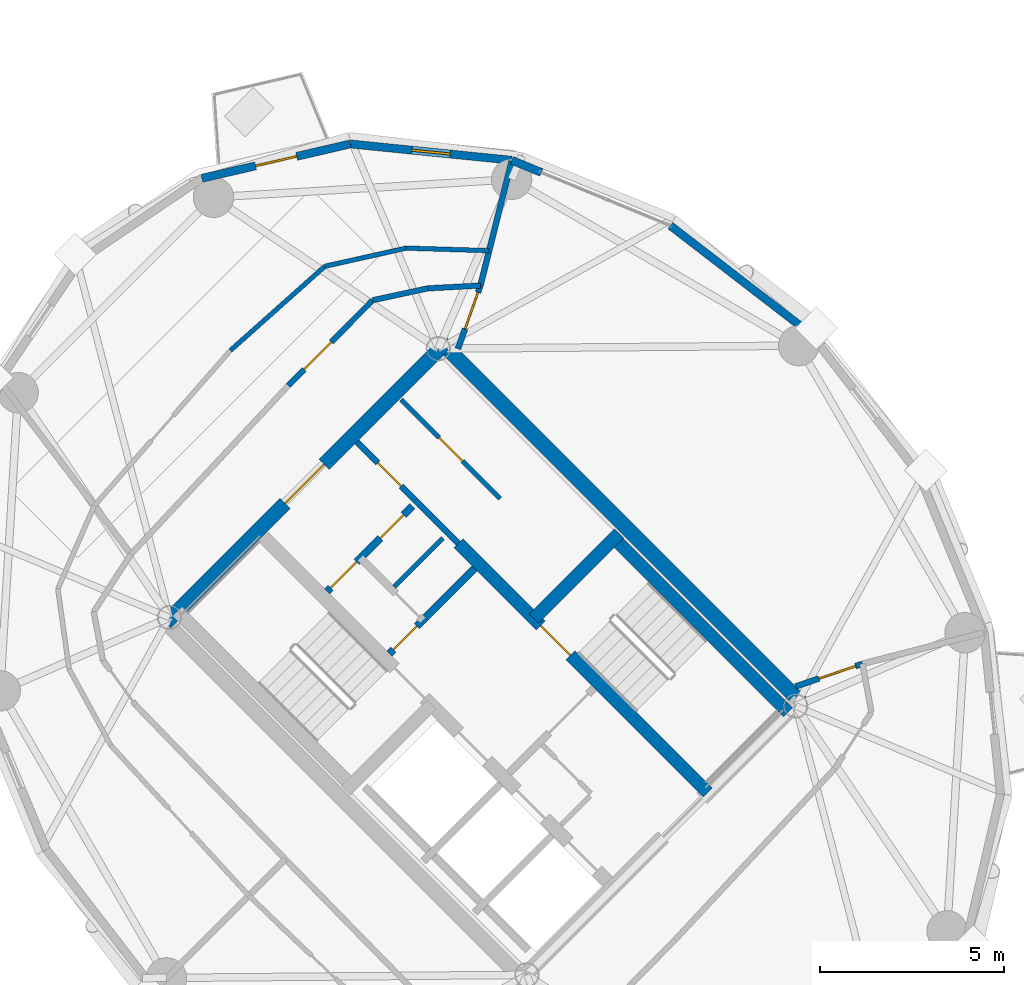
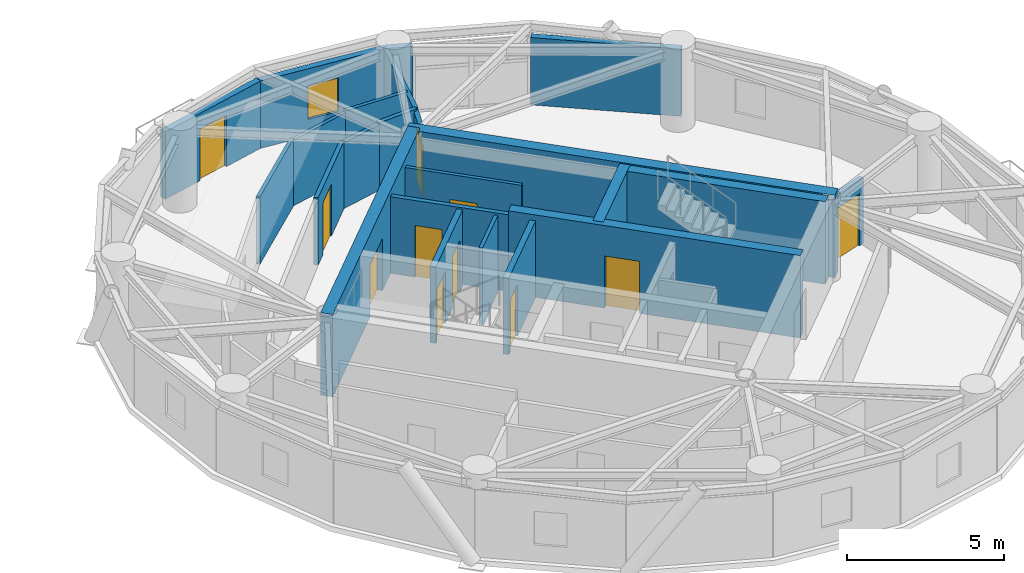
# One storey, part 12 of 16: 23 walls, 11 doors, 1 window, 12 openings.
"""IFC4 building model written with IfcOpenShell, lengths in metres."""

from ifc_helpers import new_model, si_unit, direction, frame, frame_2d, origin, place, context, subcontext, project, spatial, rectangle, extrude, source, transform, mapped, material, layer, layer_set, type_object, element, fill, save


model = new_model("IFC4")

# Units and contexts
model_context = context("Model", 3, precision=1e-05, world=origin(), true_north=direction((0.0, 1.0)))
body_context = subcontext(model_context, "Body", "Model", "MODEL_VIEW")
ifc_project = project(units=[si_unit("LENGTHUNIT", "METRE"), si_unit("AREAUNIT", "SQUARE_METRE"), si_unit("VOLUMEUNIT", "CUBIC_METRE"), si_unit("PLANEANGLEUNIT", "RADIAN"), si_unit("MASSUNIT", "GRAM", prefix="KILO")], contexts=[model_context])

# Site, building, storey
site_placement = place(None, origin())
site = spatial("IfcSite", under=ifc_project, at=site_placement, CompositionType="ELEMENT")
building_placement = place(site_placement, origin())
building = spatial("IfcBuilding", under=site, at=building_placement, Name="Cununo Teusaquillo Station Towers", CompositionType="ELEMENT")
storey_placement = place(building_placement, frame((0.0, 0.0, 226.050048828125)))
storey = spatial("IfcBuildingStorey", under=building, at=storey_placement, Name="L72", CompositionType="ELEMENT", Elevation=226.050048828125)

# Wall, opening, door
ifc_material_1 = material(Name="Concrete C50/60", Category="concrete")
ifc_layer_1 = layer(ifc_material_1, 0.35009765625)
ifc_layer_set_1 = layer_set([ifc_layer_1], Name="Concrete C50/60")
wall_type_1 = type_object("IfcWallType", Name="WL-CORE-350", PredefinedType="SHEAR", material=ifc_layer_set_1)
wall_1_placement = place(storey_placement, frame((63.627197265625, 20.939697265625, 0.0), z_axis=(0.0, 0.0, 1.0), x_axis=(-0.707119496762, 0.707094065383, 0.0)))
wall_1 = element("IfcWall", 1, at=wall_1_placement, inside=storey, type_object=wall_type_1, Name="L72 Tower B Core Shear Wall IE", PredefinedType="SHEAR", context=body_context, shape_type="SweptSolid", body=[
    extrude(rectangle(XDim=9.60009765625, YDim=0.35009765625, at=frame_2d((4.800048828125, 0.0))), origin(), (0.0, 0.0, 1.0), 3.199951171875),
])
shared_shape_1 = source(origin(), body_context, "Body", "SweptSolid", [
    extrude(rectangle(XDim=1.14990234375, YDim=2.02001953125, at=frame_2d((0.574951171875, 1.010009765625))), frame((0.0, 0.18505859375, 0.0), z_axis=(0.0, -1.0, 0.0), x_axis=(1.0, 0.0, 0.0)), (0.0, 0.0, 1.0), 0.3701171875),
])
opening_1_placement = place(wall_1_placement, frame((5.280029296875, 0.0, 0.0)))
opening_1 = element("IfcOpeningElement", 2, at=opening_1_placement, cuts=wall_1, Name="Opening D-ST1", PredefinedType="OPENING", context=body_context, shape_type="MappedRepresentation", body=[
    mapped(shared_shape_1, transform((0.0, 0.0, 0.0), x_axis=(1.0, 0.0, 0.0), y_axis=(0.0, 1.0, 0.0), z_axis=(0.0, 0.0, 1.0), scale=1.0)),
])
ifc_material_2 = material(Name="Galvanised fire-rated hollow steel door assembly", Category="steel")
door_type_1 = type_object("IfcDoorType", Name="DR-STAIR-1150", OperationType="NOTDEFINED", PredefinedType="DOOR", material=ifc_material_2)
shared_shape_2 = source(origin(), body_context, "Body", "SweptSolid", [
    extrude(rectangle(XDim=1.14990234375, YDim=2.02001953125, at=frame_2d((0.574951171875, 1.010009765625))), frame((0.0, 0.02490234375, 0.0), z_axis=(0.0, -1.0, 0.0), x_axis=(1.0, 0.0, 0.0)), (0.0, 0.0, 1.0), 0.050048828125),
])
door_1_placement = place(opening_1_placement, origin())
door_1 = element("IfcDoor", 3, at=door_1_placement, inside=storey, type_object=door_type_1, Name="L72 Tower B Exit Stair 2 Fire Door", OperationType="SINGLE_SWING_LEFT", OverallHeight=2.02001953125, OverallWidth=1.14990234375, PredefinedType="DOOR", context=body_context, shape_type="MappedRepresentation", body=[
    mapped(shared_shape_2, transform((0.0, 0.0, 0.0), x_axis=(1.0, 0.0, 0.0), y_axis=(0.0, 1.0, 0.0), z_axis=(0.0, 0.0, 1.0), scale=1.0)),
])
fill(opening_1, door_1)

# Walls
wall_2_placement = place(storey_placement, frame((65.81201171875, 23.124755859375, 0.0), z_axis=(0.0, 0.0, 1.0), x_axis=(-0.707106781187, 0.707106781187, 0.0)))
element("IfcWall", 4, at=wall_2_placement, inside=storey, type_object=wall_type_1, Name="L72 Tower B Core Shear Wall ST2E", PredefinedType="SHEAR", context=body_context, shape_type="SweptSolid", body=[
    extrude(rectangle(XDim=6.695068359375, YDim=0.35009765625, at=frame_2d((3.34765625, 0.0))), origin(), (0.0, 0.0, 1.0), 3.199951171875),
])
wall_3_placement = place(storey_placement, frame((58.89306640625, 25.673828125, 0.0), z_axis=(0.0, 0.0, 1.0), x_axis=(0.707106781187, 0.707106781187, 0.0)))
element("IfcWall", 5, at=wall_3_placement, inside=storey, type_object=wall_type_1, Name="L72 Tower B Core Shear Wall ST2N", PredefinedType="SHEAR", context=body_context, shape_type="SweptSolid", body=[
    extrude(rectangle(XDim=3.284912109375, YDim=0.35009765625, at=frame_2d((1.642578125, 0.0))), origin(), (0.0, 0.0, 1.0), 3.199951171875),
])
ifc_material_3 = material(Name="Concrete C50/60", Category="concrete")
ifc_layer_2 = layer(ifc_material_3, 0.39990234375)
ifc_layer_set_2 = layer_set([ifc_layer_2], Name="Concrete C50/60")
wall_type_2 = type_object("IfcWallType", Name="WL-CORE-400", PredefinedType="SHEAR", material=ifc_layer_set_2)
wall_4_placement = place(storey_placement, frame((66.26806640625, 23.2978515625, 0.0), z_axis=(0.0, 0.0, 1.0), x_axis=(-0.707106781187, 0.707106781187, 0.0)))
element("IfcWall", 6, at=wall_4_placement, inside=storey, type_object=wall_type_2, Name="L72 Tower B Core Shear Wall E", PredefinedType="SHEAR", context=body_context, shape_type="SweptSolid", body=[
    extrude(rectangle(XDim=14.10009765625, YDim=0.39990234375, at=frame_2d((7.050048828125, 0.0))), origin(), (0.0, 0.0, 1.0), 3.199951171875),
])

# Wall, opening, door
wall_5_placement = place(storey_placement, frame((48.873291015625, 25.560791015625, 0.0), z_axis=(0.0, 0.0, 1.0), x_axis=(0.707106781187, 0.707106781187, 0.0)))
wall_5 = element("IfcWall", 7, at=wall_5_placement, inside=storey, type_object=wall_type_2, Name="L72 Tower B Core Shear Wall N", PredefinedType="SHEAR", context=body_context, shape_type="SweptSolid", body=[
    extrude(rectangle(XDim=10.69970703125, YDim=0.39990234375, at=frame_2d((5.349853515625, 0.0))), origin(), (0.0, 0.0, 1.0), 3.199951171875),
])
shared_shape_3 = source(origin(), body_context, "Body", "SweptSolid", [
    extrude(rectangle(XDim=1.5, YDim=2.02001953125, at=frame_2d((0.75, 1.010009765625))), frame((0.0, 0.2099609375, 0.0), z_axis=(0.0, -1.0, 0.0), x_axis=(1.0, 0.0, 0.0)), (0.0, 0.0, 1.0), 0.419921875),
])
opening_2_placement = place(wall_5_placement, frame((4.60009765625, 0.0, 0.0)))
opening_2 = element("IfcOpeningElement", 8, at=opening_2_placement, cuts=wall_5, Name="Opening D-LB1", PredefinedType="OPENING", context=body_context, shape_type="MappedRepresentation", body=[
    mapped(shared_shape_3, transform((0.0, 0.0, 0.0), x_axis=(1.0, 0.0, 0.0), y_axis=(0.0, 1.0, 0.0), z_axis=(0.0, 0.0, 1.0), scale=1.0)),
])
ifc_material_4 = material(Name="Galvanised fire-rated hollow steel door assembly", Category="steel")
door_type_2 = type_object("IfcDoorType", Name="DR-LOBBY-1500", OperationType="DOUBLE_DOOR_SINGLE_SWING", PredefinedType="DOOR", material=ifc_material_4)
shared_shape_4 = source(origin(), body_context, "Body", "SweptSolid", [
    extrude(rectangle(XDim=1.5, YDim=2.02001953125, at=frame_2d((0.75, 1.010009765625))), frame((0.0, 0.02490234375, 0.0), z_axis=(0.0, -1.0, 0.0), x_axis=(1.0, 0.0, 0.0)), (0.0, 0.0, 1.0), 0.050048828125),
])
door_2_placement = place(opening_2_placement, origin())
door_2 = element("IfcDoor", 9, at=door_2_placement, inside=storey, type_object=door_type_2, Name="L72 Tower B North Core Lift Lobby Door", OperationType="DOUBLE_DOOR_SINGLE_SWING", OverallHeight=2.02001953125, OverallWidth=1.5, PredefinedType="DOOR", context=body_context, shape_type="MappedRepresentation", body=[
    mapped(shared_shape_4, transform((0.0, 0.0, 0.0), x_axis=(1.0, 0.0, 0.0), y_axis=(0.0, 1.0, 0.0), z_axis=(0.0, 0.0, 1.0), scale=1.0)),
])
fill(opening_2, door_2)

# Walls
ifc_material_5 = material(Name="Precast concrete C40/50", Category="concrete")
ifc_layer_3 = layer(ifc_material_5, 0.219970703125)
ifc_layer_set_3 = layer_set([ifc_layer_3], Name="Precast concrete C40/50")
wall_type_3 = type_object("IfcWallType", Name="WL-EXT-220", PredefinedType="SOLIDWALL", material=ifc_layer_set_3)
wall_6_placement = place(storey_placement, frame((62.61328125, 36.373779296875, 0.0), z_axis=(0.0, 0.0, 1.0), x_axis=(0.791998462147, -0.610523083886, 0.0)))
element("IfcWall", 10, at=wall_6_placement, inside=storey, type_object=wall_type_3, Name="L72 Tower B Exterior Facade Wall C00", PredefinedType="SOLIDWALL", context=body_context, shape_type="SweptSolid", body=[
    extrude(rectangle(XDim=4.8203125, YDim=0.219970703125, at=frame_2d((2.41015625, 0.0))), origin(), (0.0, 0.0, 1.0), 2.612060546875),
])
wall_7_placement = place(storey_placement, frame((58.29541015625, 38.15478515625, 0.0), z_axis=(0.0, 0.0, 1.0), x_axis=(0.924515260676, -0.381145028536, 0.0)))
element("IfcWall", 11, at=wall_7_placement, inside=storey, type_object=wall_type_3, Name="L72 Tower B Column Pier Cladding Wall C01-PA", PredefinedType="SOLIDWALL", context=body_context, shape_type="SweptSolid", body=[
    extrude(rectangle(XDim=0.869873046875, YDim=0.219970703125, at=frame_2d((0.43505859375, 0.0))), origin(), (0.0, 0.0, 1.0), 2.612060546875),
])

# Wall, opening, window
wall_8_placement = place(storey_placement, frame((53.899658203125, 38.59912109375, 0.0), z_axis=(0.0, 0.0, 1.0), x_axis=(0.994929930991, -0.100570534541, 0.0)))
wall_8 = element("IfcWall", 12, at=wall_8_placement, inside=storey, type_object=wall_type_3, Name="L72 Tower B Exterior Facade Wall C02", PredefinedType="SOLIDWALL", context=body_context, shape_type="SweptSolid", body=[
    extrude(rectangle(XDim=4.418212890625, YDim=0.219970703125, at=frame_2d((2.208984375, 0.0))), origin(), (0.0, 0.0, 1.0), 2.612060546875),
])
shared_shape_5 = source(origin(), body_context, "Body", "SweptSolid", [
    extrude(rectangle(XDim=1.050048828125, YDim=1.300048828125, at=frame_2d((0.52490234375, 0.64990234375))), frame((0.0, 0.119873046875, 0.0), z_axis=(0.0, -1.0, 0.0), x_axis=(1.0, 0.0, 0.0)), (0.0, 0.0, 1.0), 0.239990234375),
])
opening_3_placement = place(wall_8_placement, frame((1.68408203125, 0.0, 0.64990234375)))
opening_3 = element("IfcOpeningElement", 13, at=opening_3_placement, cuts=wall_8, Name="Opening WN-04", PredefinedType="OPENING", context=body_context, shape_type="MappedRepresentation", body=[
    mapped(shared_shape_5, transform((0.0, 0.0, 0.0), x_axis=(1.0, 0.0, 0.0), y_axis=(0.0, 1.0, 0.0), z_axis=(0.0, 0.0, 1.0), scale=1.0)),
])
ifc_material_6 = material(Name="Operable acoustic tinted low-E double glazing", Category="glass")
window_type = type_object("IfcWindowType", Name="WIN-BAL-1050", PartitioningType="SINGLE_PANEL", PredefinedType="WINDOW", material=ifc_material_6)
shared_shape_6 = source(origin(), body_context, "Body", "SweptSolid", [
    extrude(rectangle(XDim=1.050048828125, YDim=1.300048828125, at=frame_2d((0.52490234375, 0.64990234375))), frame((0.0, 0.030029296875, 0.0), z_axis=(0.0, -1.0, 0.0), x_axis=(1.0, 0.0, 0.0)), (0.0, 0.0, 1.0), 0.06005859375),
])
window_placement = place(opening_3_placement, origin())
window = element("IfcWindow", 14, at=window_placement, inside=storey, type_object=window_type, Name="L72 Tower B Facade Window C02", OverallHeight=1.300048828125, OverallWidth=1.050048828125, PartitioningType="SINGLE_PANEL", PredefinedType="WINDOW", context=body_context, shape_type="MappedRepresentation", body=[
    mapped(shared_shape_6, transform((0.0, 0.0, 0.0), x_axis=(1.0, 0.0, 0.0), y_axis=(0.0, 1.0, 0.0), z_axis=(0.0, 0.0, 1.0), scale=1.0)),
])
fill(opening_3, window)

# Wall, opening, door
wall_9_placement = place(storey_placement, frame((49.856201171875, 37.663330078125, 0.0), z_axis=(0.0, 0.0, 1.0), x_axis=(0.974249228678, 0.225473813158, 0.0)))
wall_9 = element("IfcWall", 15, at=wall_9_placement, inside=storey, type_object=wall_type_3, Name="L72 Tower B Exterior Facade Wall C03", PredefinedType="SOLIDWALL", context=body_context, shape_type="SweptSolid", body=[
    extrude(rectangle(XDim=4.150390625, YDim=0.219970703125, at=frame_2d((2.0751953125, 0.0))), origin(), (0.0, 0.0, 1.0), 2.612060546875),
])
shared_shape_7 = source(origin(), body_context, "Body", "SweptSolid", [
    extrude(rectangle(XDim=1.14990234375, YDim=2.0048828125, at=frame_2d((0.574951171875, 1.00244140625))), frame((0.0, 0.119873046875, 0.0), z_axis=(0.0, -1.0, 0.0), x_axis=(1.0, 0.0, 0.0)), (0.0, 0.0, 1.0), 0.239990234375),
])
opening_4_placement = place(wall_9_placement, frame((1.5, 0.0, 0.0)))
opening_4 = element("IfcOpeningElement", 16, at=opening_4_placement, cuts=wall_9, Name="Opening ED-03", PredefinedType="OPENING", context=body_context, shape_type="MappedRepresentation", body=[
    mapped(shared_shape_7, transform((0.0, 0.0, 0.0), x_axis=(1.0, 0.0, 0.0), y_axis=(0.0, 1.0, 0.0), z_axis=(0.0, 0.0, 1.0), scale=1.0)),
])
ifc_material_7 = material(Name="Anodised dark bronze aluminium EN AW-6063-T6", Category="aluminium")
door_type_3 = type_object("IfcDoorType", Name="DR-EXT-BAL", OperationType="NOTDEFINED", PredefinedType="DOOR", material=ifc_material_7)
shared_shape_8 = source(origin(), body_context, "Body", "SweptSolid", [
    extrude(rectangle(XDim=1.14990234375, YDim=2.0048828125, at=frame_2d((0.574951171875, 1.00244140625))), frame((0.0, 0.02490234375, 0.0), z_axis=(0.0, -1.0, 0.0), x_axis=(1.0, 0.0, 0.0)), (0.0, 0.0, 1.0), 0.050048828125),
])
door_3_placement = place(opening_4_placement, origin())
door_3 = element("IfcDoor", 17, at=door_3_placement, inside=storey, type_object=door_type_3, Name="L72 Tower B Tree Balcony Door C03", OperationType="SINGLE_SWING_LEFT", OverallHeight=2.0048828125, OverallWidth=1.14990234375, PredefinedType="DOOR", context=body_context, shape_type="MappedRepresentation", body=[
    mapped(shared_shape_8, transform((0.0, 0.0, 0.0), x_axis=(1.0, 0.0, 0.0), y_axis=(0.0, 1.0, 0.0), z_axis=(0.0, 0.0, 1.0), scale=1.0)),
])
fill(opening_4, door_3)

# Wall
ifc_material_8 = material(Name="Fire-rated gypsum plasterboard partition assembly", Category="gypsum")
ifc_layer_4 = layer(ifc_material_8, 0.125)
ifc_layer_set_4 = layer_set([ifc_layer_4], Name="Fire-rated gypsum plasterboard partition assembly")
wall_type_4 = type_object("IfcWallType", Name="WL-PART-125", PredefinedType="PARTITIONING", material=ifc_layer_set_4)
wall_10_placement = place(storey_placement, frame((55.0888671875, 26.54345703125, 0.0), z_axis=(0.0, 0.0, 1.0), x_axis=(0.707106781187, 0.707106781187, 0.0)))
element("IfcWall", 18, at=wall_10_placement, inside=storey, type_object=wall_type_4, Name="L72 Tower B Core Horizontal Split Wall", PredefinedType="PARTITIONING", context=body_context, shape_type="SweptSolid", body=[
    extrude(rectangle(XDim=1.8798828125, YDim=0.125, at=frame_2d((0.93994140625, 0.0))), origin(), (0.0, 0.0, 1.0), 2.974853515625),
])

# Wall, opening, door
wall_11_placement = place(storey_placement, frame((57.980712890625, 28.940673828125, 0.0), z_axis=(0.0, 0.0, 1.0), x_axis=(-0.707074823725, 0.707138737204, 0.0)))
wall_11 = element("IfcWall", 19, at=wall_11_placement, inside=storey, type_object=wall_type_4, Name="L72 Tower B Reclaimed Bay Vertical Split Wall", PredefinedType="PARTITIONING", context=body_context, shape_type="SweptSolid", body=[
    extrude(rectangle(XDim=3.81982421875, YDim=0.125, at=frame_2d((1.909912109375, 0.0))), origin(), (0.0, 0.0, 1.0), 2.974853515625),
])
shared_shape_9 = source(origin(), body_context, "Body", "SweptSolid", [
    extrude(rectangle(XDim=0.89990234375, YDim=2.0048828125, at=frame_2d((0.449951171875, 1.00244140625))), frame((0.0, 0.072509765625, 0.0), z_axis=(0.0, -1.0, 0.0), x_axis=(1.0, 0.0, 0.0)), (0.0, 0.0, 1.0), 0.14501953125),
])
opening_5_placement = place(wall_11_placement, frame((1.449951171875, 0.0, 0.0)))
opening_5 = element("IfcOpeningElement", 20, at=opening_5_placement, cuts=wall_11, Name="Opening D-IN1", PredefinedType="OPENING", context=body_context, shape_type="MappedRepresentation", body=[
    mapped(shared_shape_9, transform((0.0, 0.0, 0.0), x_axis=(1.0, 0.0, 0.0), y_axis=(0.0, 1.0, 0.0), z_axis=(0.0, 0.0, 1.0), scale=1.0)),
])
ifc_material_9 = material(Name="Acoustic solid-core hardwood leaf assembly", Category="wood")
door_type_4 = type_object("IfcDoorType", Name="DR-INT-900", OperationType="NOTDEFINED", PredefinedType="DOOR", material=ifc_material_9)
shared_shape_10 = source(origin(), body_context, "Body", "SweptSolid", [
    extrude(rectangle(XDim=0.89990234375, YDim=2.0048828125, at=frame_2d((0.449951171875, 1.00244140625))), frame((0.0, 0.02490234375, 0.0), z_axis=(0.0, -1.0, 0.0), x_axis=(1.0, 0.0, 0.0)), (0.0, 0.0, 1.0), 0.050048828125),
])
door_4_placement = place(opening_5_placement, origin())
door_4 = element("IfcDoor", 21, at=door_4_placement, inside=storey, type_object=door_type_4, Name="L72 Tower B Reclaimed Acoustic Booth Door", OperationType="SINGLE_SWING_RIGHT", OverallHeight=2.0048828125, OverallWidth=0.89990234375, PredefinedType="DOOR", context=body_context, shape_type="MappedRepresentation", body=[
    mapped(shared_shape_10, transform((0.0, 0.0, 0.0), x_axis=(1.0, 0.0, 0.0), y_axis=(0.0, 1.0, 0.0), z_axis=(0.0, 0.0, 1.0), scale=1.0)),
])
fill(opening_5, door_4)

# Walls
wall_12_placement = place(storey_placement, frame((57.678955078125, 35.693359375, 0.0), z_axis=(0.0, 0.0, 1.0), x_axis=(-0.999526298938, 0.030776252722, 0.0)))
element("IfcWall", 22, at=wall_12_placement, inside=storey, type_object=wall_type_4, Name="L72 Tower B 300-Metre Panoramic Dining Hall Concentric Partition Wall C02", PredefinedType="PARTITIONING", context=body_context, shape_type="SweptSolid", body=[
    extrude(rectangle(XDim=2.2607421875, YDim=0.125, at=frame_2d((1.13037109375, 0.0))), origin(), (0.0, 0.0, 1.0), 2.612060546875),
])
wall_13_placement = place(storey_placement, frame((55.419189453125, 35.762939453125, 0.0), z_axis=(0.0, 0.0, 1.0), x_axis=(-0.975917771425, -0.218138725166, 0.0)))
element("IfcWall", 23, at=wall_13_placement, inside=storey, type_object=wall_type_4, Name="L72 Tower B 300-Metre Panoramic Dining Hall Concentric Partition Wall C03", PredefinedType="PARTITIONING", context=body_context, shape_type="SweptSolid", body=[
    extrude(rectangle(XDim=2.267578125, YDim=0.125, at=frame_2d((1.1337890625, 0.0))), origin(), (0.0, 0.0, 1.0), 2.544921875),
])
wall_14_placement = place(storey_placement, frame((53.206298828125, 35.268310546875, 0.0), z_axis=(0.0, 0.0, 1.0), x_axis=(-0.746677760999, -0.665185929819, 0.0)))
element("IfcWall", 24, at=wall_14_placement, inside=storey, type_object=wall_type_4, Name="L72 Tower B 300-Metre Panoramic Dining Hall Concentric Partition Wall C04", PredefinedType="PARTITIONING", context=body_context, shape_type="SweptSolid", body=[
    extrude(rectangle(XDim=3.4453125, YDim=0.125, at=frame_2d((1.72265625, 0.0))), origin(), (0.0, 0.0, 1.0), 2.612060546875),
])
ifc_material_10 = material(Name="Fire-rated gypsum plasterboard partition assembly", Category="gypsum")
ifc_layer_5 = layer(ifc_material_10, 0.14990234375)
ifc_layer_set_5 = layer_set([ifc_layer_5], Name="Fire-rated gypsum plasterboard partition assembly")
wall_type_5 = type_object("IfcWallType", Name="WL-PART-150", PredefinedType="PARTITIONING", material=ifc_layer_set_5)
wall_15_placement = place(storey_placement, frame((57.4404296875, 34.743896484375, 0.0), z_axis=(0.0, 0.0, 1.0), x_axis=(-0.998578025565, -0.053309725738, 0.0)))
element("IfcWall", 25, at=wall_15_placement, inside=storey, type_object=wall_type_5, Name="L72 Tower B Corridor Ring Wall C02", PredefinedType="PARTITIONING", context=body_context, shape_type="SweptSolid", body=[
    extrude(rectangle(XDim=1.433349609375, YDim=0.14990234375, at=frame_2d((0.716796875, 0.0))), origin(), (0.0, 0.0, 1.0), 2.612060546875),
])
wall_16_placement = place(storey_placement, frame((56.009033203125, 34.66748046875, 0.0), z_axis=(0.0, 0.0, 1.0), x_axis=(-0.977625498152, -0.210353001795, 0.0)))
element("IfcWall", 26, at=wall_16_placement, inside=storey, type_object=wall_type_5, Name="L72 Tower B Corridor Ring Wall C03", PredefinedType="PARTITIONING", context=body_context, shape_type="SweptSolid", body=[
    extrude(rectangle(XDim=1.537841796875, YDim=0.14990234375, at=frame_2d((0.76904296875, 0.0))), origin(), (0.0, 0.0, 1.0), 2.544921875),
])

# Wall, opening, door
wall_17_placement = place(storey_placement, frame((54.505615234375, 34.343994140625, 0.0), z_axis=(0.0, 0.0, 1.0), x_axis=(-0.703053402247, -0.711137056824, 0.0)))
wall_17 = element("IfcWall", 27, at=wall_17_placement, inside=storey, type_object=wall_type_5, Name="L72 Tower B Corridor Ring Wall C04", PredefinedType="PARTITIONING", context=body_context, shape_type="SweptSolid", body=[
    extrude(rectangle(XDim=3.26171875, YDim=0.14990234375, at=frame_2d((1.630859375, 0.0))), origin(), (0.0, 0.0, 1.0), 2.612060546875),
])
shared_shape_11 = source(origin(), body_context, "Body", "SweptSolid", [
    extrude(rectangle(XDim=1.050048828125, YDim=2.014892578125, at=frame_2d((0.52490234375, 1.00732421875))), frame((0.0, 0.0849609375, 0.0), z_axis=(0.0, -1.0, 0.0), x_axis=(1.0, 0.0, 0.0)), (0.0, 0.0, 1.0), 0.169921875),
])
opening_6_placement = place(wall_17_placement, frame((1.598876953125, 0.0, 0.0)))
opening_6 = element("IfcOpeningElement", 28, at=opening_6_placement, cuts=wall_17, Name="Opening D-SU1", PredefinedType="OPENING", context=body_context, shape_type="MappedRepresentation", body=[
    mapped(shared_shape_11, transform((0.0, 0.0, 0.0), x_axis=(1.0, 0.0, 0.0), y_axis=(0.0, 1.0, 0.0), z_axis=(0.0, 0.0, 1.0), scale=1.0)),
])
ifc_material_11 = material(Name="Acoustic solid-core hardwood leaf assembly", Category="wood")
door_type_5 = type_object("IfcDoorType", Name="DR-SUITE-1050", OperationType="NOTDEFINED", PredefinedType="DOOR", material=ifc_material_11)
shared_shape_12 = source(origin(), body_context, "Body", "SweptSolid", [
    extrude(rectangle(XDim=1.050048828125, YDim=2.014892578125, at=frame_2d((0.52490234375, 1.00732421875))), frame((0.0, 0.02490234375, 0.0), z_axis=(0.0, -1.0, 0.0), x_axis=(1.0, 0.0, 0.0)), (0.0, 0.0, 1.0), 0.050048828125),
])
door_5_placement = place(opening_6_placement, origin())
door_5 = element("IfcDoor", 29, at=door_5_placement, inside=storey, type_object=door_type_5, Name="L72 Tower B 300-Metre Panoramic Dining Hall Entrance Door", OperationType="SINGLE_SWING_LEFT", OverallHeight=2.014892578125, OverallWidth=1.050048828125, PredefinedType="DOOR", context=body_context, shape_type="MappedRepresentation", body=[
    mapped(shared_shape_12, transform((0.0, 0.0, 0.0), x_axis=(1.0, 0.0, 0.0), y_axis=(0.0, 1.0, 0.0), z_axis=(0.0, 0.0, 1.0), scale=1.0)),
])
fill(opening_6, door_5)

ifc_material_12 = material(Name="Fire-rated gypsum plasterboard partition assembly", Category="gypsum")
ifc_layer_6 = layer(ifc_material_12, 0.159912109375)
ifc_layer_set_6 = layer_set([ifc_layer_6], Name="Fire-rated gypsum plasterboard partition assembly")
wall_type_6 = type_object("IfcWallType", Name="WL-PART-160", PredefinedType="PARTITIONING", material=ifc_layer_set_6)
wall_18_placement = place(storey_placement, frame((56.8388671875, 27.727783203125, 0.0), z_axis=(0.0, 0.0, 1.0), x_axis=(-0.707106781187, 0.707106781187, 0.0)))
wall_18 = element("IfcWall", 30, at=wall_18_placement, inside=storey, type_object=wall_type_6, Name="L72 Tower B Reclaimed Core Bay Entry Wall", PredefinedType="PARTITIONING", context=body_context, shape_type="SweptSolid", body=[
    extrude(rectangle(XDim=3.900146484375, YDim=0.159912109375, at=frame_2d((1.9501953125, 0.0))), origin(), (0.0, 0.0, 1.0), 2.974853515625),
])
shared_shape_13 = source(origin(), body_context, "Body", "SweptSolid", [
    extrude(rectangle(XDim=0.89990234375, YDim=2.0048828125, at=frame_2d((0.449951171875, 1.00244140625))), frame((0.0, 0.08984375, 0.0), z_axis=(0.0, -1.0, 0.0), x_axis=(1.0, 0.0, 0.0)), (0.0, 0.0, 1.0), 0.179931640625),
])
opening_7_placement = place(wall_18_placement, frame((2.199951171875, 0.0, 0.0)))
opening_7 = element("IfcOpeningElement", 31, at=opening_7_placement, cuts=wall_18, Name="Opening D-IN1", PredefinedType="OPENING", context=body_context, shape_type="MappedRepresentation", body=[
    mapped(shared_shape_13, transform((0.0, 0.0, 0.0), x_axis=(1.0, 0.0, 0.0), y_axis=(0.0, 1.0, 0.0), z_axis=(0.0, 0.0, 1.0), scale=1.0)),
])
door_6_placement = place(opening_7_placement, origin())
door_6 = element("IfcDoor", 32, at=door_6_placement, inside=storey, type_object=door_type_4, Name="L72 Tower B Reclaimed Meeting Room Door", OperationType="SINGLE_SWING_LEFT", OverallHeight=2.0048828125, OverallWidth=0.89990234375, PredefinedType="DOOR", context=body_context, shape_type="MappedRepresentation", body=[
    mapped(shared_shape_10, transform((0.0, 0.0, 0.0), x_axis=(1.0, 0.0, 0.0), y_axis=(0.0, 1.0, 0.0), z_axis=(0.0, 0.0, 1.0), scale=1.0)),
])
fill(opening_7, door_6)

# Wall
wall_19_placement = place(storey_placement, frame((57.4404296875, 34.743896484375, 0.0), z_axis=(0.0, 0.0, 1.0), x_axis=(0.243619816457, 0.969870808422, 0.0)))
element("IfcWall", 33, at=wall_19_placement, inside=storey, type_object=wall_type_6, Name="L72 Tower B Radial Suite Partition R01", PredefinedType="PARTITIONING", context=body_context, shape_type="SweptSolid", body=[
    extrude(rectangle(XDim=3.496337890625, YDim=0.159912109375, at=frame_2d((1.748046875, 0.0))), origin(), (0.0, 0.0, 1.0), 2.612060546875),
])

# Wall, opening, door
wall_20_placement = place(storey_placement, frame((56.828125, 33.0205078125, 0.0), z_axis=(0.0, 0.0, 1.0), x_axis=(0.334788446034, 0.942293317605, 0.0)))
wall_20 = element("IfcWall", 34, at=wall_20_placement, inside=storey, type_object=wall_type_6, Name="L72 Tower B East Salon Corridor Portal Wall NE", PredefinedType="PARTITIONING", context=body_context, shape_type="SweptSolid", body=[
    extrude(rectangle(XDim=1.828857421875, YDim=0.159912109375, at=frame_2d((0.91455078125, 0.0))), origin(), (0.0, 0.0, 1.0), 2.544921875),
])
shared_shape_14 = source(origin(), body_context, "Body", "SweptSolid", [
    extrude(rectangle(XDim=1.050048828125, YDim=2.014892578125, at=frame_2d((0.52490234375, 1.00732421875))), frame((0.0, 0.08984375, 0.0), z_axis=(0.0, -1.0, 0.0), x_axis=(1.0, 0.0, 0.0)), (0.0, 0.0, 1.0), 0.179931640625),
])
opening_8_placement = place(wall_20_placement, frame((0.578857421875, 0.0, 0.0)))
opening_8 = element("IfcOpeningElement", 35, at=opening_8_placement, cuts=wall_20, Name="Opening D-SU1", PredefinedType="OPENING", context=body_context, shape_type="MappedRepresentation", body=[
    mapped(shared_shape_14, transform((0.0, 0.0, 0.0), x_axis=(1.0, 0.0, 0.0), y_axis=(0.0, 1.0, 0.0), z_axis=(0.0, 0.0, 1.0), scale=1.0)),
])
door_7_placement = place(opening_8_placement, origin())
door_7 = element("IfcDoor", 36, at=door_7_placement, inside=storey, type_object=door_type_5, Name="L72 Tower B East Panorama Sky Salon Door NE", OperationType="SINGLE_SWING_LEFT", OverallHeight=2.014892578125, OverallWidth=1.050048828125, PredefinedType="DOOR", context=body_context, shape_type="MappedRepresentation", body=[
    mapped(shared_shape_12, transform((0.0, 0.0, 0.0), x_axis=(1.0, 0.0, 0.0), y_axis=(0.0, 1.0, 0.0), z_axis=(0.0, 0.0, 1.0), scale=1.0)),
])
fill(opening_8, door_7)

wall_21_placement = place(storey_placement, frame((66.0205078125, 23.828125, 0.0), z_axis=(0.0, 0.0, 1.0), x_axis=(0.947522075691, 0.319690344049, 0.0)))
wall_21 = element("IfcWall", 37, at=wall_21_placement, inside=storey, type_object=wall_type_6, Name="L72 Tower B East Salon Corridor Portal Wall SE", PredefinedType="PARTITIONING", context=body_context, shape_type="SweptSolid", body=[
    extrude(rectangle(XDim=1.923583984375, YDim=0.159912109375, at=frame_2d((0.9619140625, 0.0))), origin(), (0.0, 0.0, 1.0), 2.544921875),
])
opening_9_placement = place(wall_21_placement, frame((0.673583984375, 0.0, 0.0)))
opening_9 = element("IfcOpeningElement", 38, at=opening_9_placement, cuts=wall_21, Name="Opening D-SU1", PredefinedType="OPENING", context=body_context, shape_type="MappedRepresentation", body=[
    mapped(shared_shape_14, transform((0.0, 0.0, 0.0), x_axis=(1.0, 0.0, 0.0), y_axis=(0.0, 1.0, 0.0), z_axis=(0.0, 0.0, 1.0), scale=1.0)),
])
door_8_placement = place(opening_9_placement, origin())
door_8 = element("IfcDoor", 39, at=door_8_placement, inside=storey, type_object=door_type_5, Name="L72 Tower B East Panorama Sky Salon Door SE", OperationType="SINGLE_SWING_RIGHT", OverallHeight=2.014892578125, OverallWidth=1.050048828125, PredefinedType="DOOR", context=body_context, shape_type="MappedRepresentation", body=[
    mapped(shared_shape_12, transform((0.0, 0.0, 0.0), x_axis=(1.0, 0.0, 0.0), y_axis=(0.0, 1.0, 0.0), z_axis=(0.0, 0.0, 1.0), scale=1.0)),
])
fill(opening_9, door_8)

ifc_material_13 = material(Name="Fire-rated gypsum plasterboard partition assembly", Category="gypsum")
ifc_layer_7 = layer(ifc_material_13, 0.199951171875)
ifc_layer_set_7 = layer_set([ifc_layer_7], Name="Fire-rated gypsum plasterboard partition assembly")
wall_type_7 = type_object("IfcWallType", Name="WL-PART-200", PredefinedType="PARTITIONING", material=ifc_layer_set_7)
wall_22_placement = place(storey_placement, frame((54.96142578125, 24.71923828125, 0.0), z_axis=(0.0, 0.0, 1.0), x_axis=(0.707106781187, 0.707106781187, 0.0)))
wall_22 = element("IfcWall", 40, at=wall_22_placement, inside=storey, type_object=wall_type_7, Name="L72 Tower B Firefighting Lift Lobby North Fire Wall", PredefinedType="PARTITIONING", context=body_context, shape_type="SweptSolid", body=[
    extrude(rectangle(XDim=3.280029296875, YDim=0.199951171875, at=frame_2d((1.64013671875, 0.0))), origin(), (0.0, 0.0, 1.0), 2.974853515625),
])
shared_shape_15 = source(origin(), body_context, "Body", "SweptSolid", [
    extrude(rectangle(XDim=0.89990234375, YDim=2.0048828125, at=frame_2d((0.449951171875, 1.00244140625))), frame((0.0, 0.10986328125, 0.0), z_axis=(0.0, -1.0, 0.0), x_axis=(1.0, 0.0, 0.0)), (0.0, 0.0, 1.0), 0.219970703125),
])
opening_10_placement = place(wall_22_placement, frame((0.159912109375, 0.0, 0.0)))
opening_10 = element("IfcOpeningElement", 41, at=opening_10_placement, cuts=wall_22, Name="Opening D-SR1", PredefinedType="OPENING", context=body_context, shape_type="MappedRepresentation", body=[
    mapped(shared_shape_15, transform((0.0, 0.0, 0.0), x_axis=(1.0, 0.0, 0.0), y_axis=(0.0, 1.0, 0.0), z_axis=(0.0, 0.0, 1.0), scale=1.0)),
])
ifc_material_14 = material(Name="Galvanised fire-rated hollow steel door assembly", Category="steel")
door_type_6 = type_object("IfcDoorType", Name="DR-STORE-900", OperationType="NOTDEFINED", PredefinedType="DOOR", material=ifc_material_14)
door_9_placement = place(opening_10_placement, origin())
door_9 = element("IfcDoor", 42, at=door_9_placement, inside=storey, type_object=door_type_6, Name="L72 Tower B Stair 1 Protected Vestibule South Door", OperationType="SINGLE_SWING_RIGHT", OverallHeight=2.0048828125, OverallWidth=0.89990234375, PredefinedType="DOOR", context=body_context, shape_type="MappedRepresentation", body=[
    mapped(shared_shape_10, transform((0.0, 0.0, 0.0), x_axis=(1.0, 0.0, 0.0), y_axis=(0.0, 1.0, 0.0), z_axis=(0.0, 0.0, 1.0), scale=1.0)),
])
fill(opening_10, door_9)

# Wall, openings, doors
wall_23_placement = place(storey_placement, frame((53.264404296875, 26.416259765625, 0.0), z_axis=(0.0, 0.0, 1.0), x_axis=(0.707106781187, 0.707106781187, 0.0)))
wall_23 = element("IfcWall", 43, at=wall_23_placement, inside=storey, type_object=wall_type_7, Name="L72 Tower B North Lift Lobby South Fire Wall", PredefinedType="PARTITIONING", context=body_context, shape_type="SweptSolid", body=[
    extrude(rectangle(XDim=3.280029296875, YDim=0.199951171875, at=frame_2d((1.64013671875, 0.0))), origin(), (0.0, 0.0, 1.0), 2.974853515625),
])
shared_shape_16 = source(origin(), body_context, "Body", "SweptSolid", [
    extrude(rectangle(XDim=1.0, YDim=2.014892578125, at=frame_2d((0.5, 1.00732421875))), frame((0.0, 0.10986328125, 0.0), z_axis=(0.0, -1.0, 0.0), x_axis=(1.0, 0.0, 0.0)), (0.0, 0.0, 1.0), 0.219970703125),
])
opening_11_placement = place(wall_23_placement, frame((0.139892578125, 0.0, 0.0)))
opening_11 = element("IfcOpeningElement", 44, at=opening_11_placement, cuts=wall_23, Name="Opening D-AC1", PredefinedType="OPENING", context=body_context, shape_type="MappedRepresentation", body=[
    mapped(shared_shape_16, transform((0.0, 0.0, 0.0), x_axis=(1.0, 0.0, 0.0), y_axis=(0.0, 1.0, 0.0), z_axis=(0.0, 0.0, 1.0), scale=1.0)),
])
opening_12_placement = place(wall_23_placement, frame((2.050048828125, 0.0, 0.0)))
opening_12 = element("IfcOpeningElement", 45, at=opening_12_placement, cuts=wall_23, Name="Opening D-SR1", PredefinedType="OPENING", context=body_context, shape_type="MappedRepresentation", body=[
    mapped(shared_shape_15, transform((0.0, 0.0, 0.0), x_axis=(1.0, 0.0, 0.0), y_axis=(0.0, 1.0, 0.0), z_axis=(0.0, 0.0, 1.0), scale=1.0)),
])
door_10_placement = place(opening_12_placement, origin())
door_10 = element("IfcDoor", 46, at=door_10_placement, inside=storey, type_object=door_type_6, Name="L72 Tower B Core Comms Room Door", OperationType="SINGLE_SWING_RIGHT", OverallHeight=2.0048828125, OverallWidth=0.89990234375, PredefinedType="DOOR", context=body_context, shape_type="MappedRepresentation", body=[
    mapped(shared_shape_10, transform((0.0, 0.0, 0.0), x_axis=(1.0, 0.0, 0.0), y_axis=(0.0, 1.0, 0.0), z_axis=(0.0, 0.0, 1.0), scale=1.0)),
])
fill(opening_12, door_10)
ifc_material_15 = material(Name="Acoustic solid-core hardwood leaf assembly", Category="wood")
door_type_7 = type_object("IfcDoorType", Name="DR-ACC-1000", OperationType="NOTDEFINED", PredefinedType="DOOR", material=ifc_material_15)
shared_shape_17 = source(origin(), body_context, "Body", "SweptSolid", [
    extrude(rectangle(XDim=1.0, YDim=2.014892578125, at=frame_2d((0.5, 1.00732421875))), frame((0.0, 0.02490234375, 0.0), z_axis=(0.0, -1.0, 0.0), x_axis=(1.0, 0.0, 0.0)), (0.0, 0.0, 1.0), 0.050048828125),
])
door_11_placement = place(opening_11_placement, origin())
door_11 = element("IfcDoor", 47, at=door_11_placement, inside=storey, type_object=door_type_7, Name="L72 Tower B North Lift Lobby to Stair 1 Vestibule Door", OperationType="SINGLE_SWING_LEFT", OverallHeight=2.014892578125, OverallWidth=1.0, PredefinedType="DOOR", context=body_context, shape_type="MappedRepresentation", body=[
    mapped(shared_shape_17, transform((0.0, 0.0, 0.0), x_axis=(1.0, 0.0, 0.0), y_axis=(0.0, 1.0, 0.0), z_axis=(0.0, 0.0, 1.0), scale=1.0)),
])
fill(opening_11, door_11)

save(model, "model.ifc")
